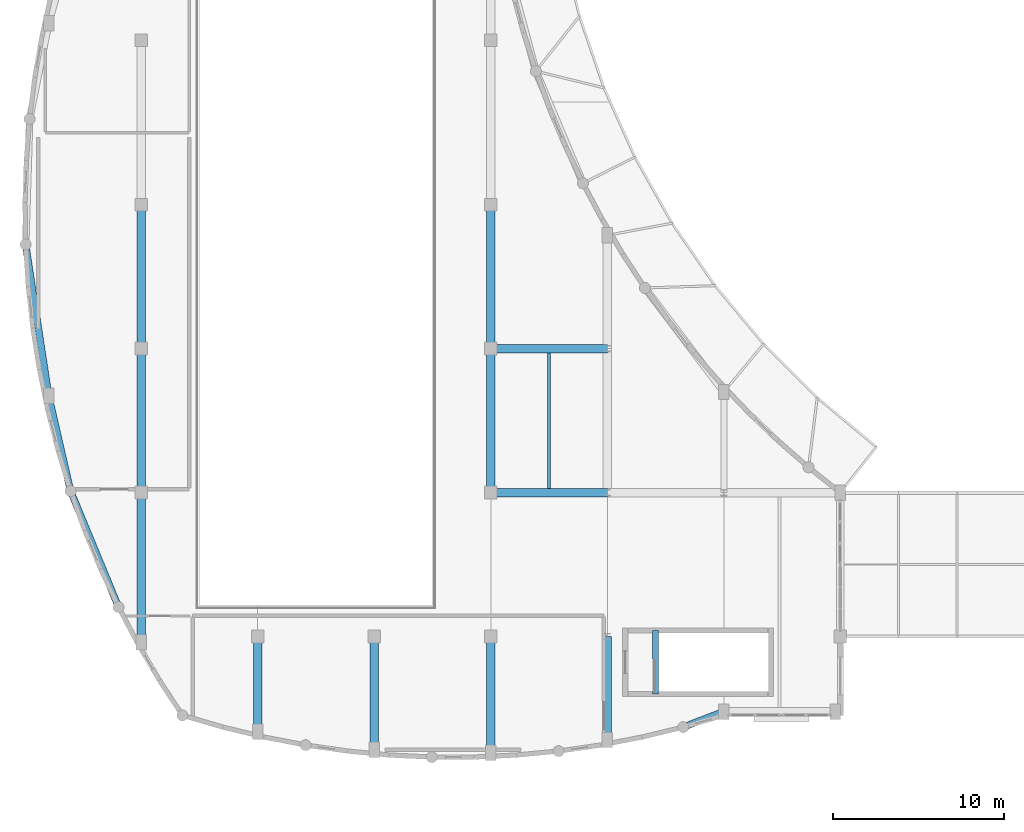
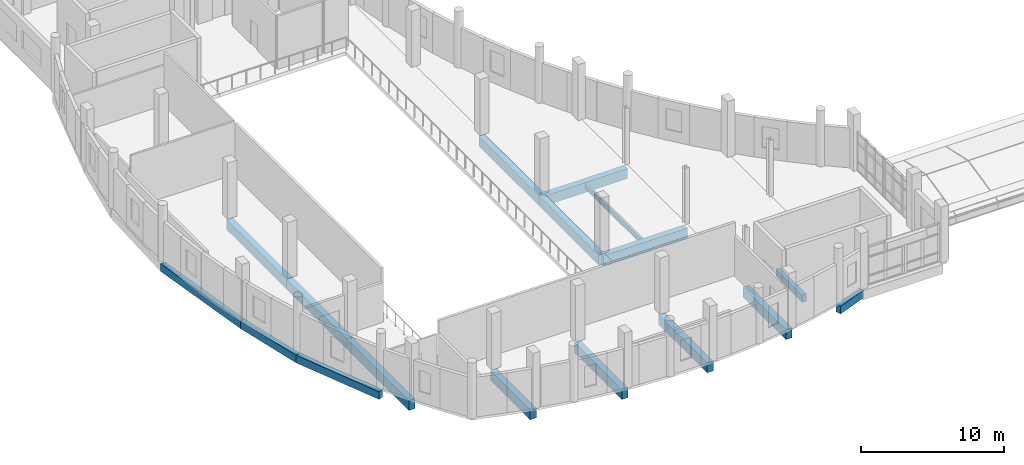
# One storey, part 9 of 106: 17 beams.
"""IFC4 building model written with IfcOpenShell, lengths in metres."""

from ifc_helpers import new_model, si_unit, direction, frame, origin, origin_2d, place, context, subcontext, project, spatial, rectangle, i_section, extrude, material, material_profile, profile_set, type_object, element, save


model = new_model("IFC4")

# Units and contexts
model_context = context("Model", 3, precision=1e-05, world=origin(), true_north=direction((0.0, 1.0)))
body_context = subcontext(model_context, "Body", "Model", "MODEL_VIEW")
ifc_project = project(units=[si_unit("LENGTHUNIT", "METRE"), si_unit("AREAUNIT", "SQUARE_METRE"), si_unit("VOLUMEUNIT", "CUBIC_METRE"), si_unit("PLANEANGLEUNIT", "RADIAN"), si_unit("MASSUNIT", "GRAM", prefix="KILO")], contexts=[model_context])

# Site, building, storey
site_placement = place(None, origin())
site = spatial("IfcSite", under=ifc_project, at=site_placement, CompositionType="ELEMENT")
building_placement = place(site_placement, origin())
building = spatial("IfcBuilding", under=site, at=building_placement, Name="Kisaragi Civic Commons", CompositionType="ELEMENT")
storey_placement = place(building_placement, frame((0.0, 0.0, 4.800048828125)))
storey = spatial("IfcBuildingStorey", under=building, at=storey_placement, Name="L01", CompositionType="ELEMENT", Elevation=4.800048828125)

# Beams
ifc_material_1 = material(Name="Concrete Fc30", Category="concrete")
ifc_material_profile_1 = material_profile(ifc_material_1, rectangle(XDim=0.5, YDim=0.85009765625, at=origin_2d()), Name="RC-500x850", Category="concrete")
ifc_profile_set_1 = profile_set([ifc_material_profile_1], Name="Concrete Fc30")
beam_type_1 = type_object("IfcBeamType", Name="G-02", PredefinedType="BEAM", material=ifc_profile_set_1)
for number, where, z_axis, x_axis, name in (
    (1, (27.199951171875, 16.800048828125, -0.72998046875), (1.0, 0.0, 0.0), (0.0, 1.0, 0.0), "L01 girder G-02 134"),
    (2, (27.199951171875, 25.199951171875, -0.72998046875), (1.0, 0.0, 0.0), (0.0, 1.0, 0.0), "L01 girder G-02 137"),
):
    element("IfcBeam", number, at=place(storey_placement, frame(where, z_axis=z_axis, x_axis=x_axis)), inside=storey, type_object=beam_type_1, Name=name, PredefinedType="BEAM", context=body_context, shape_type="SweptSolid", body=[
        extrude(rectangle(XDim=0.5, YDim=0.85009765625, at=origin_2d()), origin(), (0.0, 0.0, 1.0), 6.800048828125),
    ])
beam_1_placement = place(storey_placement, frame((6.800048828125, 8.076171875, -0.72998046875), z_axis=(0.0, 1.0, 0.0), x_axis=(-1.0, 0.0, 0.0)))
element("IfcBeam", 3, at=beam_1_placement, inside=storey, type_object=beam_type_1, Name="L01 girder G-02 142", PredefinedType="BEAM", context=body_context, shape_type="SweptSolid", body=[
    extrude(rectangle(XDim=0.5, YDim=0.85009765625, at=origin_2d()), origin(), (0.0, 0.0, 1.0), 8.723876953125),
])
beam_2_placement = place(storey_placement, frame((6.800048828125, 16.800048828125, -0.72998046875), z_axis=(0.0, 1.0, 0.0), x_axis=(-1.0, 0.0, 0.0)))
element("IfcBeam", 4, at=beam_2_placement, inside=storey, type_object=beam_type_1, Name="L01 girder G-02 143", PredefinedType="BEAM", context=body_context, shape_type="SweptSolid", body=[
    extrude(rectangle(XDim=0.5, YDim=0.85009765625, at=origin_2d()), origin(), (0.0, 0.0, 1.0), 8.39990234375),
])
beam_3_placement = place(storey_placement, frame((6.800048828125, 25.199951171875, -0.72998046875), z_axis=(0.0, 1.0, 0.0), x_axis=(-1.0, 0.0, 0.0)))
element("IfcBeam", 5, at=beam_3_placement, inside=storey, type_object=beam_type_1, Name="L01 girder G-02 144", PredefinedType="BEAM", context=body_context, shape_type="SweptSolid", body=[
    extrude(rectangle(XDim=0.5, YDim=0.85009765625, at=origin_2d()), origin(), (0.0, 0.0, 1.0), 8.400146484375),
])
beam_4_placement = place(storey_placement, frame((13.60009765625, 2.8408203125, -0.72998046875), z_axis=(0.0, 1.0, 0.0), x_axis=(-1.0, 0.0, 0.0)))
element("IfcBeam", 6, at=beam_4_placement, inside=storey, type_object=beam_type_1, Name="L01 girder G-02 147", PredefinedType="BEAM", context=body_context, shape_type="SweptSolid", body=[
    extrude(rectangle(XDim=0.5, YDim=0.85009765625, at=origin_2d()), origin(), (0.0, 0.0, 1.0), 5.55908203125),
])
beam_5_placement = place(storey_placement, frame((20.39990234375, 1.780029296875, -0.72998046875), z_axis=(0.0, 1.0, 0.0), x_axis=(-1.0, 0.0, 0.0)))
element("IfcBeam", 7, at=beam_5_placement, inside=storey, type_object=beam_type_1, Name="L01 girder G-02 148", PredefinedType="BEAM", context=body_context, shape_type="SweptSolid", body=[
    extrude(rectangle(XDim=0.5, YDim=0.85009765625, at=origin_2d()), origin(), (0.0, 0.0, 1.0), 6.619873046875),
])
beam_6_placement = place(storey_placement, frame((27.199951171875, 1.622314453125, -0.72998046875), z_axis=(0.0, 1.0, 0.0), x_axis=(-1.0, 0.0, 0.0)))
element("IfcBeam", 8, at=beam_6_placement, inside=storey, type_object=beam_type_1, Name="L01 girder G-02 150", PredefinedType="BEAM", context=body_context, shape_type="SweptSolid", body=[
    extrude(rectangle(XDim=0.5, YDim=0.85009765625, at=origin_2d()), origin(), (0.0, 0.0, 1.0), 6.777587890625),
])
beam_7_placement = place(storey_placement, frame((27.199951171875, 16.800048828125, -0.72998046875), z_axis=(0.0, 1.0, 0.0), x_axis=(-1.0, 0.0, 0.0)))
element("IfcBeam", 9, at=beam_7_placement, inside=storey, type_object=beam_type_1, Name="L01 girder G-02 151", PredefinedType="BEAM", context=body_context, shape_type="SweptSolid", body=[
    extrude(rectangle(XDim=0.5, YDim=0.85009765625, at=origin_2d()), origin(), (0.0, 0.0, 1.0), 8.39990234375),
])
beam_8_placement = place(storey_placement, frame((27.199951171875, 25.199951171875, -0.72998046875), z_axis=(0.0, 1.0, 0.0), x_axis=(-1.0, 0.0, 0.0)))
element("IfcBeam", 10, at=beam_8_placement, inside=storey, type_object=beam_type_1, Name="L01 girder G-02 152", PredefinedType="BEAM", context=body_context, shape_type="SweptSolid", body=[
    extrude(rectangle(XDim=0.5, YDim=0.85009765625, at=origin_2d()), origin(), (0.0, 0.0, 1.0), 8.400146484375),
])
beam_9_placement = place(storey_placement, frame((34.0, 2.3583984375, -0.72998046875), z_axis=(0.0, 1.0, 0.0), x_axis=(-1.0, 0.0, 0.0)))
element("IfcBeam", 11, at=beam_9_placement, inside=storey, type_object=beam_type_1, Name="L01 girder G-02 156", PredefinedType="BEAM", context=body_context, shape_type="SweptSolid", body=[
    extrude(rectangle(XDim=0.5, YDim=0.85009765625, at=origin_2d()), origin(), (0.0, 0.0, 1.0), 6.04150390625),
])
ifc_material_profile_2 = material_profile(ifc_material_1, rectangle(XDim=0.35009765625, YDim=0.60009765625, at=origin_2d()), Name="RC-350x600", Category="concrete")
ifc_profile_set_2 = profile_set([ifc_material_profile_2], Name="Concrete Fc30")
beam_type_2 = type_object("IfcBeamType", Name="G-14", PredefinedType="BEAM", material=ifc_profile_set_2)
beam_10_placement = place(storey_placement, frame((36.800048828125, 5.050048828125, -0.300048828125), z_axis=(0.0, 1.0, 0.0), x_axis=(-1.0, 0.0, 0.0)))
element("IfcBeam", 12, at=beam_10_placement, inside=storey, type_object=beam_type_2, Name="ST-M2 L01 stair landing trimmer beam", PredefinedType="BEAM", context=body_context, shape_type="SweptSolid", body=[
    extrude(rectangle(XDim=0.35009765625, YDim=0.60009765625, at=origin_2d()), origin(), (0.0, 0.0, 1.0), 3.699951171875),
])
ifc_material_2 = material(Name="Steel SN490 (SN490B)", Category="steel")
ifc_material_profile_3 = material_profile(ifc_material_2, i_section(OverallWidth=0.199951171875, OverallDepth=0.449951171875, WebThickness=0.009033203125, FlangeThickness=0.013916015625, FilletRadius=0.012939453125, at=origin_2d()), Name="H-450x200x9x14", Category="steel")
ifc_profile_set_3 = profile_set([ifc_material_profile_3], Name="Steel SN490 (SN490B)")
beam_type_3 = type_object("IfcBeamType", Name="J-04", PredefinedType="JOIST", material=ifc_profile_set_3)
beam_11_placement = place(storey_placement, frame((30.60009765625, 17.050048828125, -0.530029296875), z_axis=(0.0, 1.0, 0.0), x_axis=(-1.0, 0.0, 0.0)))
element("IfcBeam", 13, at=beam_11_placement, inside=storey, type_object=beam_type_3, Name="L01 secondary steel joist J-04 39", PredefinedType="JOIST", context=body_context, shape_type="SweptSolid", body=[
    extrude(i_section(OverallWidth=0.199951171875, OverallDepth=0.449951171875, WebThickness=0.009033203125, FlangeThickness=0.013916015625, FilletRadius=0.012939453125, at=origin_2d()), origin(), (0.0, 0.0, 1.0), 7.89990234375),
])
ifc_material_profile_4 = material_profile(ifc_material_1, rectangle(XDim=0.39990234375, YDim=0.64990234375, at=origin_2d()), Name="RC-400x650", Category="concrete")
ifc_profile_set_4 = profile_set([ifc_material_profile_4], Name="Concrete Fc30")
beam_type_4 = type_object("IfcBeamType", Name="SPB-02", PredefinedType="SPANDREL", material=ifc_profile_set_4)
beam_12_placement = place(storey_placement, frame((0.051513671875, 31.277099609375, -0.630126953125), z_axis=(0.150811558379, -0.988562529059, 0.0), x_axis=(0.988562529059, 0.150811558379, 0.0)))
element("IfcBeam", 14, at=beam_12_placement, inside=storey, type_object=beam_type_4, Name="L01 curved spandrel/ring girder SPB-02 167", PredefinedType="SPANDREL", context=body_context, shape_type="SweptSolid", body=[
    extrude(rectangle(XDim=0.39990234375, YDim=0.64990234375, at=origin_2d()), origin(), (0.0, 0.0, 1.0), 8.94091796875),
])
beam_13_placement = place(storey_placement, frame((1.39990234375, 22.4384765625, -0.630126953125), z_axis=(0.223816605876, -0.974631277425, 0.0), x_axis=(0.974631277425, 0.223816605876, 0.0)))
element("IfcBeam", 15, at=beam_13_placement, inside=storey, type_object=beam_type_4, Name="L01 curved spandrel/ring girder SPB-02 168", PredefinedType="SPANDREL", context=body_context, shape_type="SweptSolid", body=[
    extrude(rectangle(XDim=0.39990234375, YDim=0.64990234375, at=origin_2d()), origin(), (0.0, 0.0, 1.0), 5.694091796875),
])
beam_14_placement = place(storey_placement, frame((2.67431640625, 16.888916015625, -0.630126953125), z_axis=(0.381977220479, -0.924171738929, 0.0), x_axis=(0.924171738929, 0.381977220479, 0.0)))
element("IfcBeam", 16, at=beam_14_placement, inside=storey, type_object=beam_type_4, Name="L01 curved spandrel/ring girder SPB-02 169", PredefinedType="SPANDREL", context=body_context, shape_type="SweptSolid", body=[
    extrude(rectangle(XDim=0.39990234375, YDim=0.64990234375, at=origin_2d()), origin(), (0.0, 0.0, 1.0), 7.3310546875),
])
beam_15_placement = place(storey_placement, frame((38.429931640625, 3.105712890625, -0.630126953125), z_axis=(0.932985984312, 0.359912702024, 0.0), x_axis=(-0.359912702024, 0.932985984312, 0.0)))
element("IfcBeam", 17, at=beam_15_placement, inside=storey, type_object=beam_type_4, Name="L01 curved spandrel/ring girder SPB-02 170", PredefinedType="SPANDREL", context=body_context, shape_type="SweptSolid", body=[
    extrude(rectangle(XDim=0.39990234375, YDim=0.64990234375, at=origin_2d()), origin(), (0.0, 0.0, 1.0), 2.540283203125),
])

save(model, "model.ifc")
